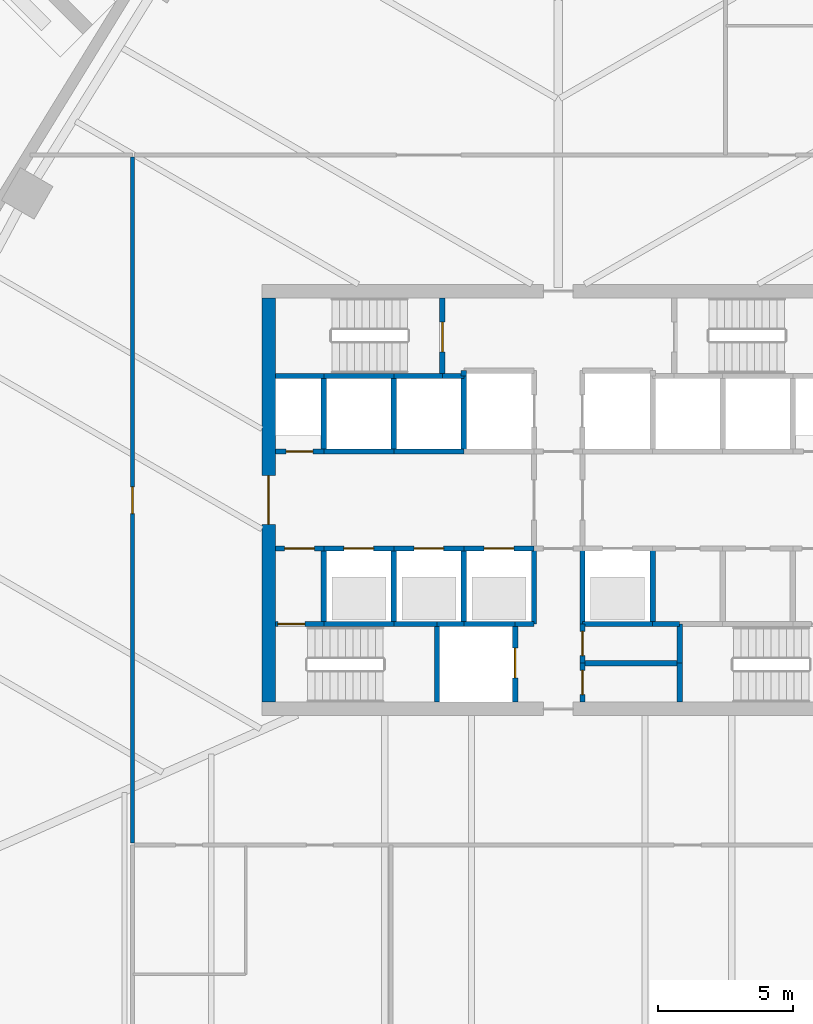
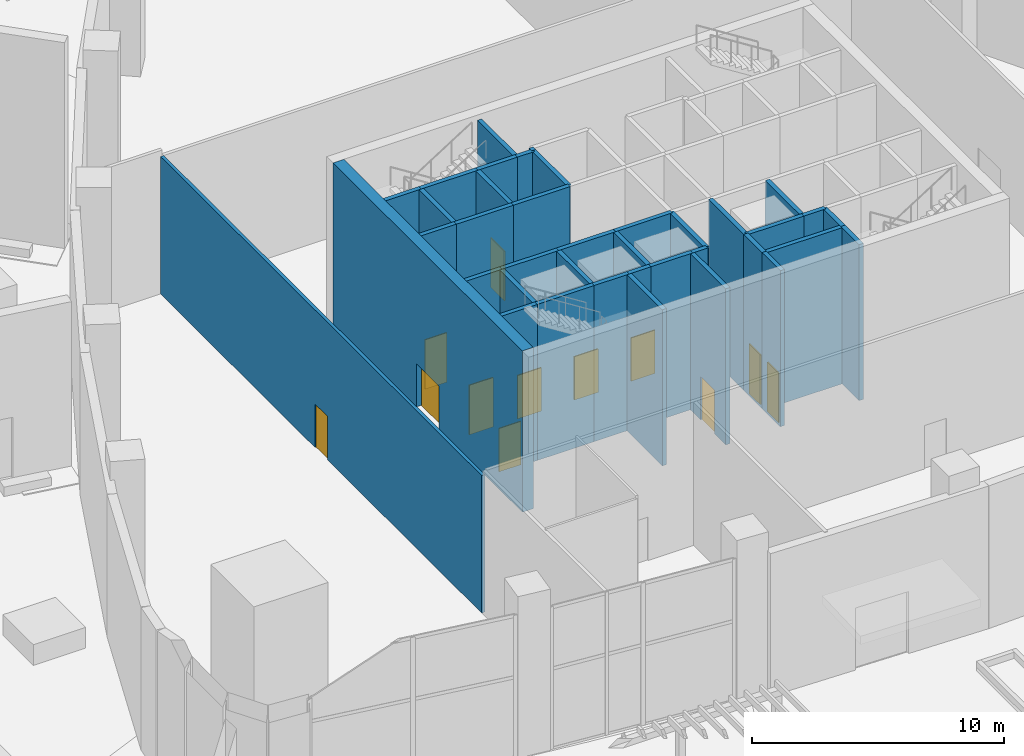
# One storey, part 9 of 20: 39 walls, 12 doors, 12 openings.
"""IFC4 building model written with IfcOpenShell, lengths in metres."""

from ifc_helpers import new_model, si_unit, direction, frame, frame_2d, origin, place, context, subcontext, project, spatial, rectangle, extrude, material, layer, layer_set, type_object, element, fill, save


model = new_model("IFC4")

# Units and contexts
model_context = context("Model", 3, precision=1e-05, world=origin(), true_north=direction((0.0, 1.0)))
body_context = subcontext(model_context, "Body", "Model", "MODEL_VIEW")
ifc_project = project(units=[si_unit("LENGTHUNIT", "METRE"), si_unit("AREAUNIT", "SQUARE_METRE"), si_unit("VOLUMEUNIT", "CUBIC_METRE"), si_unit("PLANEANGLEUNIT", "RADIAN"), si_unit("MASSUNIT", "GRAM", prefix="KILO")], contexts=[model_context])

# Site, building, storey
site_placement = place(None, origin())
site = spatial("IfcSite", under=ifc_project, at=site_placement, CompositionType="ELEMENT")
building_placement = place(site_placement, origin())
building = spatial("IfcBuilding", under=site, at=building_placement, Name="Sierra Prisma Convention Tower", CompositionType="ELEMENT")
storey_placement = place(building_placement, frame((0.0, 0.0, 9.0)))
storey = spatial("IfcBuildingStorey", under=building, at=storey_placement, Name="L01", CompositionType="ELEMENT", Elevation=9.0)

# Wall, opening, door
ifc_material_1 = material(Name="Concrete C30/37", Category="concrete")
ifc_layer_1 = layer(ifc_material_1, 0.199951171875)
ifc_layer_set_1 = layer_set([ifc_layer_1], Name="Core wall RC 200 C30/37")
wall_type_1 = type_object("IfcWallType", Name="Core wall RC 200 C30/37", PredefinedType="SOLIDWALL", material=ifc_layer_set_1)
wall_1_placement = place(storey_placement, frame((-10.5, -4.60009765625, 0.0), z_axis=(0.0, 0.0, 1.0), x_axis=(1.0, 0.0, 0.0)))
wall_1 = element("IfcWall", 1, at=wall_1_placement, inside=storey, type_object=wall_type_1, Name="Core wall L01 1", PredefinedType="SOLIDWALL", context=body_context, shape_type="SweptSolid", body=[
    extrude(rectangle(XDim=1.800048828125, YDim=0.199951171875, at=frame_2d((0.89990234375, 0.0))), origin(), (0.0, 0.0, 1.0), 7.550048828125),
])
opening_1_placement = place(wall_1_placement, frame((0.10009765625, 0.0, 0.0)))
opening_1 = element("IfcOpeningElement", 2, at=opening_1_placement, cuts=wall_1, Name="Opening L01-D016", PredefinedType="OPENING", context=body_context, shape_type="SweptSolid", body=[
    extrude(rectangle(XDim=1.0, YDim=2.10009765625, at=frame_2d((0.5, 1.050048828125))), frame((0.0, 0.10009765625, 0.0), z_axis=(0.0, -1.0, 0.0), x_axis=(1.0, 0.0, 0.0)), (0.0, 0.0, 1.0), 0.199951171875),
])
ifc_material_2 = material(Name="Steel fire door leaf", Category="steel")
door_type_1 = type_object("IfcDoorType", Name="Door 1000x2100 FD90S", OperationType="SINGLE_SWING_LEFT", PredefinedType="DOOR", material=ifc_material_2)
door_1_placement = place(opening_1_placement, origin())
door_1 = element("IfcDoor", 3, at=door_1_placement, inside=storey, type_object=door_type_1, Name="Door L01 25", OperationType="SINGLE_SWING_LEFT", OverallHeight=2.10009765625, OverallWidth=1.0, PredefinedType="DOOR", context=body_context, shape_type="SweptSolid", body=[
    extrude(rectangle(XDim=1.0, YDim=2.10009765625, at=frame_2d((0.5, 1.050048828125))), frame((0.0, 0.02490234375, 0.0), z_axis=(0.0, -1.0, 0.0), x_axis=(1.0, 0.0, 0.0)), (0.0, 0.0, 1.0), 0.050048828125),
])
fill(opening_1, door_1)

wall_2_placement = place(storey_placement, frame((-10.5, -1.800048828125, 0.0), z_axis=(0.0, 0.0, 1.0), x_axis=(1.0, 0.0, 0.0)))
wall_2 = element("IfcWall", 4, at=wall_2_placement, inside=storey, type_object=wall_type_1, Name="Core wall L01 2", PredefinedType="SOLIDWALL", context=body_context, shape_type="SweptSolid", body=[
    extrude(rectangle(XDim=1.800048828125, YDim=0.199951171875, at=frame_2d((0.89990234375, 0.0))), origin(), (0.0, 0.0, 1.0), 7.550048828125),
])
opening_2_placement = place(wall_2_placement, frame((0.35009765625, 0.0, 0.0)))
opening_2 = element("IfcOpeningElement", 5, at=opening_2_placement, cuts=wall_2, Name="Opening L01-D010", PredefinedType="OPENING", context=body_context, shape_type="SweptSolid", body=[
    extrude(rectangle(XDim=1.10009765625, YDim=2.39990234375, at=frame_2d((0.550048828125, 1.199951171875))), frame((0.0, 0.10009765625, 0.0), z_axis=(0.0, -1.0, 0.0), x_axis=(1.0, 0.0, 0.0)), (0.0, 0.0, 1.0), 0.199951171875),
])
ifc_material_3 = material(Name="Steel fire door leaf", Category="steel")
door_type_2 = type_object("IfcDoorType", Name="Door 1100x2400 FD90S", OperationType="SINGLE_SWING_LEFT", PredefinedType="DOOR", material=ifc_material_3)
door_2_placement = place(opening_2_placement, origin())
door_2 = element("IfcDoor", 6, at=door_2_placement, inside=storey, type_object=door_type_2, Name="Door L01 19", OperationType="SINGLE_SWING_LEFT", OverallHeight=2.39990234375, OverallWidth=1.10009765625, PredefinedType="DOOR", context=body_context, shape_type="SweptSolid", body=[
    extrude(rectangle(XDim=1.10009765625, YDim=2.39990234375, at=frame_2d((0.550048828125, 1.199951171875))), frame((0.0, 0.02490234375, 0.0), z_axis=(0.0, -1.0, 0.0), x_axis=(1.0, 0.0, 0.0)), (0.0, 0.0, 1.0), 0.050048828125),
])
fill(opening_2, door_2)

wall_3_placement = place(storey_placement, frame((-8.699951171875, 1.800048828125, 0.0), z_axis=(0.0, 0.0, 1.0), x_axis=(-1.0, 0.0, 0.0)))
wall_3 = element("IfcWall", 7, at=wall_3_placement, inside=storey, type_object=wall_type_1, Name="Core wall L01 3", PredefinedType="SOLIDWALL", context=body_context, shape_type="SweptSolid", body=[
    extrude(rectangle(XDim=1.800048828125, YDim=0.199951171875, at=frame_2d((0.89990234375, 0.0))), origin(), (0.0, 0.0, 1.0), 7.550048828125),
])
opening_3_placement = place(wall_3_placement, frame((0.39990234375, 0.0, 0.0)))
opening_3 = element("IfcOpeningElement", 8, at=opening_3_placement, cuts=wall_3, Name="Opening L01-D014", PredefinedType="OPENING", context=body_context, shape_type="SweptSolid", body=[
    extrude(rectangle(XDim=1.0, YDim=2.39990234375, at=frame_2d((0.5, 1.199951171875))), frame((0.0, 0.10009765625, 0.0), z_axis=(0.0, -1.0, 0.0), x_axis=(1.0, 0.0, 0.0)), (0.0, 0.0, 1.0), 0.199951171875),
])
ifc_material_4 = material(Name="Steel fire door leaf", Category="steel")
door_type_3 = type_object("IfcDoorType", Name="Door 1000x2400 FD60S", OperationType="SINGLE_SWING_LEFT", PredefinedType="DOOR", material=ifc_material_4)
door_3_placement = place(opening_3_placement, origin())
door_3 = element("IfcDoor", 9, at=door_3_placement, inside=storey, type_object=door_type_3, Name="Door L01 23", OperationType="SINGLE_SWING_LEFT", OverallHeight=2.39990234375, OverallWidth=1.0, PredefinedType="DOOR", context=body_context, shape_type="SweptSolid", body=[
    extrude(rectangle(XDim=1.0, YDim=2.39990234375, at=frame_2d((0.5, 1.199951171875))), frame((0.0, 0.02490234375, 0.0), z_axis=(0.0, -1.0, 0.0), x_axis=(1.0, 0.0, 0.0)), (0.0, 0.0, 1.0), 0.050048828125),
])
fill(opening_3, door_3)

# Walls
wall_4_placement = place(storey_placement, frame((-8.699951171875, 4.60009765625, 0.0), z_axis=(0.0, 0.0, 1.0), x_axis=(-1.0, 0.0, 0.0)))
element("IfcWall", 10, at=wall_4_placement, inside=storey, type_object=wall_type_1, Name="Core wall L01 4", PredefinedType="SOLIDWALL", context=body_context, shape_type="SweptSolid", body=[
    extrude(rectangle(XDim=1.800048828125, YDim=0.199951171875, at=frame_2d((0.89990234375, 0.0))), origin(), (0.0, 0.0, 1.0), 7.550048828125),
])
wall_5_placement = place(storey_placement, frame((-8.699951171875, -4.60009765625, 0.0), z_axis=(0.0, 0.0, 1.0), x_axis=(1.0, 0.0, 0.0)))
element("IfcWall", 11, at=wall_5_placement, inside=storey, type_object=wall_type_1, Name="Core wall L01 5", PredefinedType="SOLIDWALL", context=body_context, shape_type="SweptSolid", body=[
    extrude(rectangle(XDim=2.599853515625, YDim=0.199951171875, at=frame_2d((1.2998046875, 0.0))), origin(), (0.0, 0.0, 1.0), 7.550048828125),
])
wall_6_placement = place(storey_placement, frame((-8.699951171875, -4.60009765625, 0.0), z_axis=(0.0, 0.0, 1.0), x_axis=(0.0, 1.0, 0.0)))
element("IfcWall", 12, at=wall_6_placement, inside=storey, type_object=wall_type_1, Name="Core wall L01 6", PredefinedType="SOLIDWALL", context=body_context, shape_type="SweptSolid", body=[
    extrude(rectangle(XDim=2.800048828125, YDim=0.199951171875, at=frame_2d((1.39990234375, 0.0))), origin(), (0.0, 0.0, 1.0), 7.550048828125),
])

# Wall, opening, door
wall_7_placement = place(storey_placement, frame((-8.699951171875, -1.800048828125, 0.0), z_axis=(0.0, 0.0, 1.0), x_axis=(1.0, 0.0, 0.0)))
wall_7 = element("IfcWall", 13, at=wall_7_placement, inside=storey, type_object=wall_type_1, Name="Core wall L01 7", PredefinedType="SOLIDWALL", context=body_context, shape_type="SweptSolid", body=[
    extrude(rectangle(XDim=2.599853515625, YDim=0.199951171875, at=frame_2d((1.2998046875, 0.0))), origin(), (0.0, 0.0, 1.0), 7.550048828125),
])
opening_4_placement = place(wall_7_placement, frame((0.75, 0.0, 0.0)))
opening_4 = element("IfcOpeningElement", 14, at=opening_4_placement, cuts=wall_7, Name="Opening L01-D001", PredefinedType="OPENING", context=body_context, shape_type="SweptSolid", body=[
    extrude(rectangle(XDim=1.10009765625, YDim=2.10009765625, at=frame_2d((0.550048828125, 1.050048828125))), frame((0.0, 0.10009765625, 0.0), z_axis=(0.0, -1.0, 0.0), x_axis=(1.0, 0.0, 0.0)), (0.0, 0.0, 1.0), 0.199951171875),
])
ifc_material_5 = material(Name="Steel fire door leaf", Category="steel")
door_type_4 = type_object("IfcDoorType", Name="Door 1100x2100 EI 90 sliding lift landing", OperationType="SLIDING_TO_LEFT", PredefinedType="DOOR", material=ifc_material_5)
door_4_placement = place(opening_4_placement, origin())
door_4 = element("IfcDoor", 15, at=door_4_placement, inside=storey, type_object=door_type_4, Name="Door L01 10", OperationType="SLIDING_TO_LEFT", OverallHeight=2.10009765625, OverallWidth=1.10009765625, PredefinedType="DOOR", context=body_context, shape_type="SweptSolid", body=[
    extrude(rectangle(XDim=1.10009765625, YDim=2.10009765625, at=frame_2d((0.550048828125, 1.050048828125))), frame((0.0, 0.02490234375, 0.0), z_axis=(0.0, -1.0, 0.0), x_axis=(1.0, 0.0, 0.0)), (0.0, 0.0, 1.0), 0.050048828125),
])
fill(opening_4, door_4)

# Walls
wall_8_placement = place(storey_placement, frame((-6.10009765625, 1.800048828125, 0.0), z_axis=(0.0, 0.0, 1.0), x_axis=(-1.0, 0.0, 0.0)))
element("IfcWall", 16, at=wall_8_placement, inside=storey, type_object=wall_type_1, Name="Core wall L01 8", PredefinedType="SOLIDWALL", context=body_context, shape_type="SweptSolid", body=[
    extrude(rectangle(XDim=2.599853515625, YDim=0.199951171875, at=frame_2d((1.2998046875, 0.0))), origin(), (0.0, 0.0, 1.0), 7.550048828125),
])
wall_9_placement = place(storey_placement, frame((-8.699951171875, 1.800048828125, 0.0), z_axis=(0.0, 0.0, 1.0), x_axis=(0.0, 1.0, 0.0)))
element("IfcWall", 17, at=wall_9_placement, inside=storey, type_object=wall_type_1, Name="Core wall L01 9", PredefinedType="SOLIDWALL", context=body_context, shape_type="SweptSolid", body=[
    extrude(rectangle(XDim=2.800048828125, YDim=0.199951171875, at=frame_2d((1.39990234375, 0.0))), origin(), (0.0, 0.0, 1.0), 7.550048828125),
])
wall_10_placement = place(storey_placement, frame((-6.10009765625, 4.60009765625, 0.0), z_axis=(0.0, 0.0, 1.0), x_axis=(-1.0, 0.0, 0.0)))
element("IfcWall", 18, at=wall_10_placement, inside=storey, type_object=wall_type_1, Name="Core wall L01 10", PredefinedType="SOLIDWALL", context=body_context, shape_type="SweptSolid", body=[
    extrude(rectangle(XDim=2.599853515625, YDim=0.199951171875, at=frame_2d((1.2998046875, 0.0))), origin(), (0.0, 0.0, 1.0), 7.550048828125),
])
wall_11_placement = place(storey_placement, frame((-6.10009765625, -4.60009765625, 0.0), z_axis=(0.0, 0.0, 1.0), x_axis=(1.0, 0.0, 0.0)))
element("IfcWall", 19, at=wall_11_placement, inside=storey, type_object=wall_type_1, Name="Core wall L01 11", PredefinedType="SOLIDWALL", context=body_context, shape_type="SweptSolid", body=[
    extrude(rectangle(XDim=1.60009765625, YDim=0.199951171875, at=frame_2d((0.800048828125, 0.0))), origin(), (0.0, 0.0, 1.0), 7.550048828125),
])
wall_12_placement = place(storey_placement, frame((-6.10009765625, -4.60009765625, 0.0), z_axis=(0.0, 0.0, 1.0), x_axis=(0.0, 1.0, 0.0)))
element("IfcWall", 20, at=wall_12_placement, inside=storey, type_object=wall_type_1, Name="Core wall L01 12", PredefinedType="SOLIDWALL", context=body_context, shape_type="SweptSolid", body=[
    extrude(rectangle(XDim=2.800048828125, YDim=0.199951171875, at=frame_2d((1.39990234375, 0.0))), origin(), (0.0, 0.0, 1.0), 7.550048828125),
])

# Wall, opening, door
wall_13_placement = place(storey_placement, frame((-6.10009765625, -1.800048828125, 0.0), z_axis=(0.0, 0.0, 1.0), x_axis=(1.0, 0.0, 0.0)))
wall_13 = element("IfcWall", 21, at=wall_13_placement, inside=storey, type_object=wall_type_1, Name="Core wall L01 13", PredefinedType="SOLIDWALL", context=body_context, shape_type="SweptSolid", body=[
    extrude(rectangle(XDim=2.60009765625, YDim=0.199951171875, at=frame_2d((1.300048828125, 0.0))), origin(), (0.0, 0.0, 1.0), 7.550048828125),
])
opening_5_placement = place(wall_13_placement, frame((0.75, 0.0, 0.0)))
opening_5 = element("IfcOpeningElement", 22, at=opening_5_placement, cuts=wall_13, Name="Opening L01-D002", PredefinedType="OPENING", context=body_context, shape_type="SweptSolid", body=[
    extrude(rectangle(XDim=1.10009765625, YDim=2.10009765625, at=frame_2d((0.550048828125, 1.050048828125))), frame((0.0, 0.10009765625, 0.0), z_axis=(0.0, -1.0, 0.0), x_axis=(1.0, 0.0, 0.0)), (0.0, 0.0, 1.0), 0.199951171875),
])
door_5_placement = place(opening_5_placement, origin())
door_5 = element("IfcDoor", 23, at=door_5_placement, inside=storey, type_object=door_type_4, Name="Door L01 11", OperationType="SLIDING_TO_LEFT", OverallHeight=2.10009765625, OverallWidth=1.10009765625, PredefinedType="DOOR", context=body_context, shape_type="SweptSolid", body=[
    extrude(rectangle(XDim=1.10009765625, YDim=2.10009765625, at=frame_2d((0.550048828125, 1.050048828125))), frame((0.0, 0.02490234375, 0.0), z_axis=(0.0, -1.0, 0.0), x_axis=(1.0, 0.0, 0.0)), (0.0, 0.0, 1.0), 0.050048828125),
])
fill(opening_5, door_5)

# Walls
wall_14_placement = place(storey_placement, frame((-3.5, 1.800048828125, 0.0), z_axis=(0.0, 0.0, 1.0), x_axis=(-1.0, 0.0, 0.0)))
element("IfcWall", 24, at=wall_14_placement, inside=storey, type_object=wall_type_1, Name="Core wall L01 14", PredefinedType="SOLIDWALL", context=body_context, shape_type="SweptSolid", body=[
    extrude(rectangle(XDim=2.60009765625, YDim=0.199951171875, at=frame_2d((1.300048828125, 0.0))), origin(), (0.0, 0.0, 1.0), 7.550048828125),
])
wall_15_placement = place(storey_placement, frame((-6.10009765625, 1.800048828125, 0.0), z_axis=(0.0, 0.0, 1.0), x_axis=(0.0, 1.0, 0.0)))
element("IfcWall", 25, at=wall_15_placement, inside=storey, type_object=wall_type_1, Name="Core wall L01 15", PredefinedType="SOLIDWALL", context=body_context, shape_type="SweptSolid", body=[
    extrude(rectangle(XDim=2.800048828125, YDim=0.199951171875, at=frame_2d((1.39990234375, 0.0))), origin(), (0.0, 0.0, 1.0), 7.550048828125),
])
wall_16_placement = place(storey_placement, frame((-4.300048828125, 4.60009765625, 0.0), z_axis=(0.0, 0.0, 1.0), x_axis=(-1.0, 0.0, 0.0)))
element("IfcWall", 26, at=wall_16_placement, inside=storey, type_object=wall_type_1, Name="Core wall L01 16", PredefinedType="SOLIDWALL", context=body_context, shape_type="SweptSolid", body=[
    extrude(rectangle(XDim=1.800048828125, YDim=0.199951171875, at=frame_2d((0.89990234375, 0.0))), origin(), (0.0, 0.0, 1.0), 7.550048828125),
])
wall_17_placement = place(storey_placement, frame((-4.5, -4.60009765625, 0.0), z_axis=(0.0, 0.0, 1.0), x_axis=(0.0, -1.0, 0.0)))
element("IfcWall", 27, at=wall_17_placement, inside=storey, type_object=wall_type_1, Name="Core wall L01 17", PredefinedType="SOLIDWALL", context=body_context, shape_type="SweptSolid", body=[
    extrude(rectangle(XDim=2.89990234375, YDim=0.199951171875, at=frame_2d((1.449951171875, 0.0))), origin(), (0.0, 0.0, 1.0), 7.550048828125),
])
wall_18_placement = place(storey_placement, frame((-4.5, -4.60009765625, 0.0), z_axis=(0.0, 0.0, 1.0), x_axis=(1.0, 0.0, 0.0)))
element("IfcWall", 28, at=wall_18_placement, inside=storey, type_object=wall_type_1, Name="Core wall L01 18", PredefinedType="SOLIDWALL", context=body_context, shape_type="SweptSolid", body=[
    extrude(rectangle(XDim=1.0, YDim=0.199951171875, at=frame_2d((0.5, 0.0))), origin(), (0.0, 0.0, 1.0), 7.550048828125),
])
wall_19_placement = place(storey_placement, frame((-3.5, 4.60009765625, 0.0), z_axis=(0.0, 0.0, 1.0), x_axis=(-1.0, 0.0, 0.0)))
element("IfcWall", 29, at=wall_19_placement, inside=storey, type_object=wall_type_1, Name="Core wall L01 19", PredefinedType="SOLIDWALL", context=body_context, shape_type="SweptSolid", body=[
    extrude(rectangle(XDim=0.800048828125, YDim=0.199951171875, at=frame_2d((0.39990234375, 0.0))), origin(), (0.0, 0.0, 1.0), 7.550048828125),
])

# Wall, opening, door
wall_20_placement = place(storey_placement, frame((-4.300048828125, 4.60009765625, 0.0), z_axis=(0.0, 0.0, 1.0), x_axis=(0.0, 1.0, 0.0)))
wall_20 = element("IfcWall", 30, at=wall_20_placement, inside=storey, type_object=wall_type_1, Name="Core wall L01 20", PredefinedType="SOLIDWALL", context=body_context, shape_type="SweptSolid", body=[
    extrude(rectangle(XDim=2.89990234375, YDim=0.199951171875, at=frame_2d((1.449951171875, 0.0))), origin(), (0.0, 0.0, 1.0), 7.550048828125),
])
opening_6_placement = place(wall_20_placement, frame((0.89990234375, 0.0, 0.0)))
opening_6 = element("IfcOpeningElement", 31, at=opening_6_placement, cuts=wall_20, Name="Opening L01-D018", PredefinedType="OPENING", context=body_context, shape_type="SweptSolid", body=[
    extrude(rectangle(XDim=1.10009765625, YDim=2.39990234375, at=frame_2d((0.550048828125, 1.199951171875))), frame((0.0, 0.10009765625, 0.0), z_axis=(0.0, -1.0, 0.0), x_axis=(1.0, 0.0, 0.0)), (0.0, 0.0, 1.0), 0.199951171875),
])
door_6_placement = place(opening_6_placement, origin())
door_6 = element("IfcDoor", 32, at=door_6_placement, inside=storey, type_object=door_type_2, Name="Door L01 27", OperationType="SINGLE_SWING_RIGHT", OverallHeight=2.39990234375, OverallWidth=1.10009765625, PredefinedType="DOOR", context=body_context, shape_type="SweptSolid", body=[
    extrude(rectangle(XDim=1.10009765625, YDim=2.39990234375, at=frame_2d((0.550048828125, 1.199951171875))), frame((0.0, 0.02490234375, 0.0), z_axis=(0.0, -1.0, 0.0), x_axis=(1.0, 0.0, 0.0)), (0.0, 0.0, 1.0), 0.050048828125),
])
fill(opening_6, door_6)

# Walls
wall_21_placement = place(storey_placement, frame((-3.5, -4.60009765625, 0.0), z_axis=(0.0, 0.0, 1.0), x_axis=(1.0, 0.0, 0.0)))
element("IfcWall", 33, at=wall_21_placement, inside=storey, type_object=wall_type_1, Name="Core wall L01 21", PredefinedType="SOLIDWALL", context=body_context, shape_type="SweptSolid", body=[
    extrude(rectangle(XDim=1.89990234375, YDim=0.199951171875, at=frame_2d((0.949951171875, 0.0))), origin(), (0.0, 0.0, 1.0), 7.550048828125),
])
wall_22_placement = place(storey_placement, frame((-3.5, -4.60009765625, 0.0), z_axis=(0.0, 0.0, 1.0), x_axis=(0.0, 1.0, 0.0)))
element("IfcWall", 34, at=wall_22_placement, inside=storey, type_object=wall_type_1, Name="Core wall L01 22", PredefinedType="SOLIDWALL", context=body_context, shape_type="SweptSolid", body=[
    extrude(rectangle(XDim=2.800048828125, YDim=0.199951171875, at=frame_2d((1.39990234375, 0.0))), origin(), (0.0, 0.0, 1.0), 7.550048828125),
])

# Wall, opening, door
wall_23_placement = place(storey_placement, frame((-3.5, -1.800048828125, 0.0), z_axis=(0.0, 0.0, 1.0), x_axis=(1.0, 0.0, 0.0)))
wall_23 = element("IfcWall", 35, at=wall_23_placement, inside=storey, type_object=wall_type_1, Name="Core wall L01 23", PredefinedType="SOLIDWALL", context=body_context, shape_type="SweptSolid", body=[
    extrude(rectangle(XDim=2.60009765625, YDim=0.199951171875, at=frame_2d((1.300048828125, 0.0))), origin(), (0.0, 0.0, 1.0), 7.550048828125),
])
opening_7_placement = place(wall_23_placement, frame((0.75, 0.0, 0.0)))
opening_7 = element("IfcOpeningElement", 36, at=opening_7_placement, cuts=wall_23, Name="Opening L01-D003", PredefinedType="OPENING", context=body_context, shape_type="SweptSolid", body=[
    extrude(rectangle(XDim=1.10009765625, YDim=2.10009765625, at=frame_2d((0.550048828125, 1.050048828125))), frame((0.0, 0.10009765625, 0.0), z_axis=(0.0, -1.0, 0.0), x_axis=(1.0, 0.0, 0.0)), (0.0, 0.0, 1.0), 0.199951171875),
])
door_7_placement = place(opening_7_placement, origin())
door_7 = element("IfcDoor", 37, at=door_7_placement, inside=storey, type_object=door_type_4, Name="Door L01 12", OperationType="SLIDING_TO_RIGHT", OverallHeight=2.10009765625, OverallWidth=1.10009765625, PredefinedType="DOOR", context=body_context, shape_type="SweptSolid", body=[
    extrude(rectangle(XDim=1.10009765625, YDim=2.10009765625, at=frame_2d((0.550048828125, 1.050048828125))), frame((0.0, 0.02490234375, 0.0), z_axis=(0.0, -1.0, 0.0), x_axis=(1.0, 0.0, 0.0)), (0.0, 0.0, 1.0), 0.050048828125),
])
fill(opening_7, door_7)

# Walls
wall_24_placement = place(storey_placement, frame((-3.5, 4.60009765625, 0.0), z_axis=(0.0, 0.0, 1.0), x_axis=(0.0, -1.0, 0.0)))
element("IfcWall", 38, at=wall_24_placement, inside=storey, type_object=wall_type_1, Name="Core wall L01 25", PredefinedType="SOLIDWALL", context=body_context, shape_type="SweptSolid", body=[
    extrude(rectangle(XDim=2.800048828125, YDim=0.199951171875, at=frame_2d((1.39990234375, 0.0))), origin(), (0.0, 0.0, 1.0), 7.550048828125),
])
wall_25_placement = place(storey_placement, frame((-3.5, 4.800048828125, 0.0), z_axis=(0.0, 0.0, 1.0), x_axis=(0.0, -1.0, 0.0)))
element("IfcWall", 39, at=wall_25_placement, inside=storey, type_object=wall_type_1, Name="Core wall L01 28", PredefinedType="SOLIDWALL", context=body_context, shape_type="SweptSolid", body=[
    extrude(rectangle(XDim=0.199951171875, YDim=0.199951171875, at=frame_2d((0.10009765625, 0.0))), origin(), (0.0, 0.0, 1.0), 7.550048828125),
])

# Wall, opening, door
wall_26_placement = place(storey_placement, frame((-1.60009765625, -7.5, 0.0), z_axis=(0.0, 0.0, 1.0), x_axis=(0.0, 1.0, 0.0)))
wall_26 = element("IfcWall", 40, at=wall_26_placement, inside=storey, type_object=wall_type_1, Name="Core wall L01 29", PredefinedType="SOLIDWALL", context=body_context, shape_type="SweptSolid", body=[
    extrude(rectangle(XDim=2.89990234375, YDim=0.199951171875, at=frame_2d((1.449951171875, 0.0))), origin(), (0.0, 0.0, 1.0), 7.550048828125),
])
opening_8_placement = place(wall_26_placement, frame((0.89990234375, 0.0, 0.0)))
opening_8 = element("IfcOpeningElement", 41, at=opening_8_placement, cuts=wall_26, Name="Opening L01-D007", PredefinedType="OPENING", context=body_context, shape_type="SweptSolid", body=[
    extrude(rectangle(XDim=1.10009765625, YDim=2.10009765625, at=frame_2d((0.550048828125, 1.050048828125))), frame((0.0, 0.10009765625, 0.0), z_axis=(0.0, -1.0, 0.0), x_axis=(1.0, 0.0, 0.0)), (0.0, 0.0, 1.0), 0.199951171875),
])
door_8_placement = place(opening_8_placement, origin())
door_8 = element("IfcDoor", 42, at=door_8_placement, inside=storey, type_object=door_type_4, Name="Door L01 16", OperationType="SLIDING_TO_RIGHT", OverallHeight=2.10009765625, OverallWidth=1.10009765625, PredefinedType="DOOR", context=body_context, shape_type="SweptSolid", body=[
    extrude(rectangle(XDim=1.10009765625, YDim=2.10009765625, at=frame_2d((0.550048828125, 1.050048828125))), frame((0.0, 0.02490234375, 0.0), z_axis=(0.0, -1.0, 0.0), x_axis=(1.0, 0.0, 0.0)), (0.0, 0.0, 1.0), 0.050048828125),
])
fill(opening_8, door_8)

# Walls
wall_27_placement = place(storey_placement, frame((-1.60009765625, -4.60009765625, 0.0), z_axis=(0.0, 0.0, 1.0), x_axis=(1.0, 0.0, 0.0)))
element("IfcWall", 43, at=wall_27_placement, inside=storey, type_object=wall_type_1, Name="Core wall L01 30", PredefinedType="SOLIDWALL", context=body_context, shape_type="SweptSolid", body=[
    extrude(rectangle(XDim=0.7001953125, YDim=0.199951171875, at=frame_2d((0.35009765625, 0.0))), origin(), (0.0, 0.0, 1.0), 7.550048828125),
])
wall_28_placement = place(storey_placement, frame((-0.89990234375, -4.60009765625, 0.0), z_axis=(0.0, 0.0, 1.0), x_axis=(0.0, 1.0, 0.0)))
element("IfcWall", 44, at=wall_28_placement, inside=storey, type_object=wall_type_1, Name="Core wall L01 31", PredefinedType="SOLIDWALL", context=body_context, shape_type="SweptSolid", body=[
    extrude(rectangle(XDim=2.800048828125, YDim=0.199951171875, at=frame_2d((1.39990234375, 0.0))), origin(), (0.0, 0.0, 1.0), 7.550048828125),
])

# Wall, opening, door
wall_29_placement = place(storey_placement, frame((0.89990234375, -6.050048828125, 0.0), z_axis=(0.0, 0.0, 1.0), x_axis=(0.0, -1.0, 0.0)))
wall_29 = element("IfcWall", 45, at=wall_29_placement, inside=storey, type_object=wall_type_1, Name="Core wall L01 35", PredefinedType="SOLIDWALL", context=body_context, shape_type="SweptSolid", body=[
    extrude(rectangle(XDim=1.449951171875, YDim=0.199951171875, at=frame_2d((0.72509765625, 0.0))), origin(), (0.0, 0.0, 1.0), 7.550048828125),
])
opening_9_placement = place(wall_29_placement, frame((0.27490234375, 0.0, 0.0)))
opening_9 = element("IfcOpeningElement", 46, at=opening_9_placement, cuts=wall_29, Name="Opening L01-D022", PredefinedType="OPENING", context=body_context, shape_type="SweptSolid", body=[
    extrude(rectangle(XDim=0.89990234375, YDim=2.39990234375, at=frame_2d((0.449951171875, 1.199951171875))), frame((0.0, 0.10009765625, 0.0), z_axis=(0.0, -1.0, 0.0), x_axis=(1.0, 0.0, 0.0)), (0.0, 0.0, 1.0), 0.199951171875),
])
ifc_material_6 = material(Name="Steel fire door leaf", Category="steel")
door_type_5 = type_object("IfcDoorType", Name="Door 900x2400 FD30S", OperationType="SINGLE_SWING_LEFT", PredefinedType="DOOR", material=ifc_material_6)
door_9_placement = place(opening_9_placement, origin())
door_9 = element("IfcDoor", 47, at=door_9_placement, inside=storey, type_object=door_type_5, Name="Door L01 31", OperationType="SINGLE_SWING_LEFT", OverallHeight=2.39990234375, OverallWidth=0.89990234375, PredefinedType="DOOR", context=body_context, shape_type="SweptSolid", body=[
    extrude(rectangle(XDim=0.89990234375, YDim=2.39990234375, at=frame_2d((0.449951171875, 1.199951171875))), frame((0.0, 0.02490234375, 0.0), z_axis=(0.0, -1.0, 0.0), x_axis=(1.0, 0.0, 0.0)), (0.0, 0.0, 1.0), 0.050048828125),
])
fill(opening_9, door_9)

# Wall
wall_30_placement = place(storey_placement, frame((4.5, -6.050048828125, 0.0), z_axis=(0.0, 0.0, 1.0), x_axis=(-1.0, 0.0, 0.0)))
element("IfcWall", 48, at=wall_30_placement, inside=storey, type_object=wall_type_1, Name="Core wall L01 36", PredefinedType="SOLIDWALL", context=body_context, shape_type="SweptSolid", body=[
    extrude(rectangle(XDim=3.60009765625, YDim=0.199951171875, at=frame_2d((1.800048828125, 0.0))), origin(), (0.0, 0.0, 1.0), 7.550048828125),
])

# Wall, opening, door
wall_31_placement = place(storey_placement, frame((0.89990234375, -4.60009765625, 0.0), z_axis=(0.0, 0.0, 1.0), x_axis=(0.0, -1.0, 0.0)))
wall_31 = element("IfcWall", 49, at=wall_31_placement, inside=storey, type_object=wall_type_1, Name="Core wall L01 37", PredefinedType="SOLIDWALL", context=body_context, shape_type="SweptSolid", body=[
    extrude(rectangle(XDim=1.449951171875, YDim=0.199951171875, at=frame_2d((0.72509765625, 0.0))), origin(), (0.0, 0.0, 1.0), 7.550048828125),
])
opening_10_placement = place(wall_31_placement, frame((0.27490234375, 0.0, 0.0)))
opening_10 = element("IfcOpeningElement", 50, at=opening_10_placement, cuts=wall_31, Name="Opening L01-D023", PredefinedType="OPENING", context=body_context, shape_type="SweptSolid", body=[
    extrude(rectangle(XDim=0.89990234375, YDim=2.39990234375, at=frame_2d((0.449951171875, 1.199951171875))), frame((0.0, 0.10009765625, 0.0), z_axis=(0.0, -1.0, 0.0), x_axis=(1.0, 0.0, 0.0)), (0.0, 0.0, 1.0), 0.199951171875),
])
door_10_placement = place(opening_10_placement, origin())
door_10 = element("IfcDoor", 51, at=door_10_placement, inside=storey, type_object=door_type_5, Name="Door L01 32", OperationType="SINGLE_SWING_RIGHT", OverallHeight=2.39990234375, OverallWidth=0.89990234375, PredefinedType="DOOR", context=body_context, shape_type="SweptSolid", body=[
    extrude(rectangle(XDim=0.89990234375, YDim=2.39990234375, at=frame_2d((0.449951171875, 1.199951171875))), frame((0.0, 0.02490234375, 0.0), z_axis=(0.0, -1.0, 0.0), x_axis=(1.0, 0.0, 0.0)), (0.0, 0.0, 1.0), 0.050048828125),
])
fill(opening_10, door_10)

# Walls
wall_32_placement = place(storey_placement, frame((3.5, -4.60009765625, 0.0), z_axis=(0.0, 0.0, 1.0), x_axis=(-1.0, 0.0, 0.0)))
element("IfcWall", 52, at=wall_32_placement, inside=storey, type_object=wall_type_1, Name="Core wall L01 38", PredefinedType="SOLIDWALL", context=body_context, shape_type="SweptSolid", body=[
    extrude(rectangle(XDim=2.60009765625, YDim=0.199951171875, at=frame_2d((1.300048828125, 0.0))), origin(), (0.0, 0.0, 1.0), 7.550048828125),
])
wall_33_placement = place(storey_placement, frame((0.89990234375, -1.800048828125, 0.0), z_axis=(0.0, 0.0, 1.0), x_axis=(0.0, -1.0, 0.0)))
element("IfcWall", 53, at=wall_33_placement, inside=storey, type_object=wall_type_1, Name="Core wall L01 39", PredefinedType="SOLIDWALL", context=body_context, shape_type="SweptSolid", body=[
    extrude(rectangle(XDim=2.800048828125, YDim=0.199951171875, at=frame_2d((1.39990234375, 0.0))), origin(), (0.0, 0.0, 1.0), 7.550048828125),
])
wall_34_placement = place(storey_placement, frame((3.5, -4.60009765625, 0.0), z_axis=(0.0, 0.0, 1.0), x_axis=(1.0, 0.0, 0.0)))
element("IfcWall", 54, at=wall_34_placement, inside=storey, type_object=wall_type_1, Name="Core wall L01 46", PredefinedType="SOLIDWALL", context=body_context, shape_type="SweptSolid", body=[
    extrude(rectangle(XDim=1.0, YDim=0.199951171875, at=frame_2d((0.5, 0.0))), origin(), (0.0, 0.0, 1.0), 7.550048828125),
])
wall_35_placement = place(storey_placement, frame((3.5, -1.800048828125, 0.0), z_axis=(0.0, 0.0, 1.0), x_axis=(0.0, -1.0, 0.0)))
element("IfcWall", 55, at=wall_35_placement, inside=storey, type_object=wall_type_1, Name="Core wall L01 47", PredefinedType="SOLIDWALL", context=body_context, shape_type="SweptSolid", body=[
    extrude(rectangle(XDim=2.800048828125, YDim=0.199951171875, at=frame_2d((1.39990234375, 0.0))), origin(), (0.0, 0.0, 1.0), 7.550048828125),
])
for number, where, z_axis, x_axis, name in (
    (56, (4.5, -7.5, 0.0), (0.0, 0.0, 1.0), (0.0, 1.0, 0.0), "Core wall L01 54"),
    (57, (4.5, -6.050048828125, 0.0), (0.0, 0.0, 1.0), (0.0, 1.0, 0.0), "Core wall L01 55"),
):
    element("IfcWall", number, at=place(storey_placement, frame(where, z_axis=z_axis, x_axis=x_axis)), inside=storey, type_object=wall_type_1, Name=name, PredefinedType="SOLIDWALL", context=body_context, shape_type="SweptSolid", body=[
        extrude(rectangle(XDim=1.449951171875, YDim=0.199951171875, at=frame_2d((0.72509765625, 0.0))), origin(), (0.0, 0.0, 1.0), 7.550048828125),
    ])

# Wall, opening, door
ifc_material_7 = material(Name="Concrete C70/85", Category="concrete")
ifc_layer_2 = layer(ifc_material_7, 0.5)
ifc_layer_set_2 = layer_set([ifc_layer_2], Name="Core wall RC 500 C70/85")
wall_type_2 = type_object("IfcWallType", Name="Core wall RC 500 C70/85", PredefinedType="SHEAR", material=ifc_layer_set_2)
wall_36_placement = place(storey_placement, frame((-10.75, -7.5, 0.0), z_axis=(0.0, 0.0, 1.0), x_axis=(0.0, 1.0, 0.0)))
wall_36 = element("IfcWall", 58, at=wall_36_placement, inside=storey, type_object=wall_type_2, Name="Core wall W L01", PredefinedType="SHEAR", context=body_context, shape_type="SweptSolid", body=[
    extrude(rectangle(XDim=15.0, YDim=0.5, at=frame_2d((7.5, 0.0))), origin(), (0.0, 0.0, 1.0), 7.800048828125),
])
opening_11_placement = place(wall_36_placement, frame((6.60009765625, 0.0, 0.0)))
opening_11 = element("IfcOpeningElement", 59, at=opening_11_placement, cuts=wall_36, Name="Opening L01-D054", PredefinedType="OPENING", context=body_context, shape_type="SweptSolid", body=[
    extrude(rectangle(XDim=1.800048828125, YDim=2.10009765625, at=frame_2d((0.89990234375, 1.050048828125))), frame((0.0, 0.25, 0.0), z_axis=(0.0, -1.0, 0.0), x_axis=(1.0, 0.0, 0.0)), (0.0, 0.0, 1.0), 0.5),
])
ifc_material_8 = material(Name="Steel fire door leaf", Category="steel")
door_type_6 = type_object("IfcDoorType", Name="Door 1800x2100 FD60S", OperationType="DOUBLE_DOOR_SINGLE_SWING", PredefinedType="DOOR", material=ifc_material_8)
door_11_placement = place(opening_11_placement, origin())
door_11 = element("IfcDoor", 60, at=door_11_placement, inside=storey, type_object=door_type_6, Name="Door L01 33", OperationType="DOUBLE_DOOR_SINGLE_SWING", OverallHeight=2.10009765625, OverallWidth=1.800048828125, PredefinedType="DOOR", context=body_context, shape_type="SweptSolid", body=[
    extrude(rectangle(XDim=1.800048828125, YDim=2.10009765625, at=frame_2d((0.89990234375, 1.050048828125))), frame((0.0, 0.02490234375, 0.0), z_axis=(0.0, -1.0, 0.0), x_axis=(1.0, 0.0, 0.0)), (0.0, 0.0, 1.0), 0.050048828125),
])
fill(opening_11, door_11)

ifc_material_9 = material(Name="Gypsum board partition", Category="gypsum")
ifc_layer_3 = layer(ifc_material_9, 0.14990234375)
ifc_layer_set_3 = layer_set([ifc_layer_3], Name="Corridor wall 150 gypsum EI 60")
wall_type_3 = type_object("IfcWallType", Name="Corridor wall 150 gypsum EI 60", PredefinedType="PARTITIONING", material=ifc_layer_set_3)
wall_37_placement = place(storey_placement, frame((-15.800048828125, 12.719970703125, 0.0), z_axis=(0.0, 0.0, 1.0), x_axis=(0.0, -1.0, 0.0)))
wall_37 = element("IfcWall", 61, at=wall_37_placement, inside=storey, type_object=wall_type_3, Name="Partition L01 corr 1", PredefinedType="PARTITIONING", context=body_context, shape_type="SweptSolid", body=[
    extrude(rectangle(XDim=25.43994140625, YDim=0.14990234375, at=frame_2d((12.719970703125, 0.0))), origin(), (0.0, 0.0, 1.0), 6.64697265625),
])
opening_12_placement = place(wall_37_placement, frame((12.22998046875, 0.0, 0.0)))
opening_12 = element("IfcOpeningElement", 62, at=opening_12_placement, cuts=wall_37, Name="Opening L01-D027", PredefinedType="OPENING", context=body_context, shape_type="SweptSolid", body=[
    extrude(rectangle(XDim=1.0, YDim=2.10009765625, at=frame_2d((0.5, 1.050048828125))), frame((0.0, 0.074951171875, 0.0), z_axis=(0.0, -1.0, 0.0), x_axis=(1.0, 0.0, 0.0)), (0.0, 0.0, 1.0), 0.14990234375),
])
ifc_material_10 = material(Name="Steel fire door leaf", Category="steel")
door_type_7 = type_object("IfcDoorType", Name="Door 1000x2100 FD30S", OperationType="SINGLE_SWING_LEFT", PredefinedType="DOOR", material=ifc_material_10)
door_12_placement = place(opening_12_placement, origin())
door_12 = element("IfcDoor", 63, at=door_12_placement, inside=storey, type_object=door_type_7, Name="Door L01 4", OperationType="SINGLE_SWING_RIGHT", OverallHeight=2.10009765625, OverallWidth=1.0, PredefinedType="DOOR", context=body_context, shape_type="SweptSolid", body=[
    extrude(rectangle(XDim=1.0, YDim=2.10009765625, at=frame_2d((0.5, 1.050048828125))), frame((0.0, 0.02490234375, 0.0), z_axis=(0.0, -1.0, 0.0), x_axis=(1.0, 0.0, 0.0)), (0.0, 0.0, 1.0), 0.050048828125),
])
fill(opening_12, door_12)

save(model, "model.ifc")
